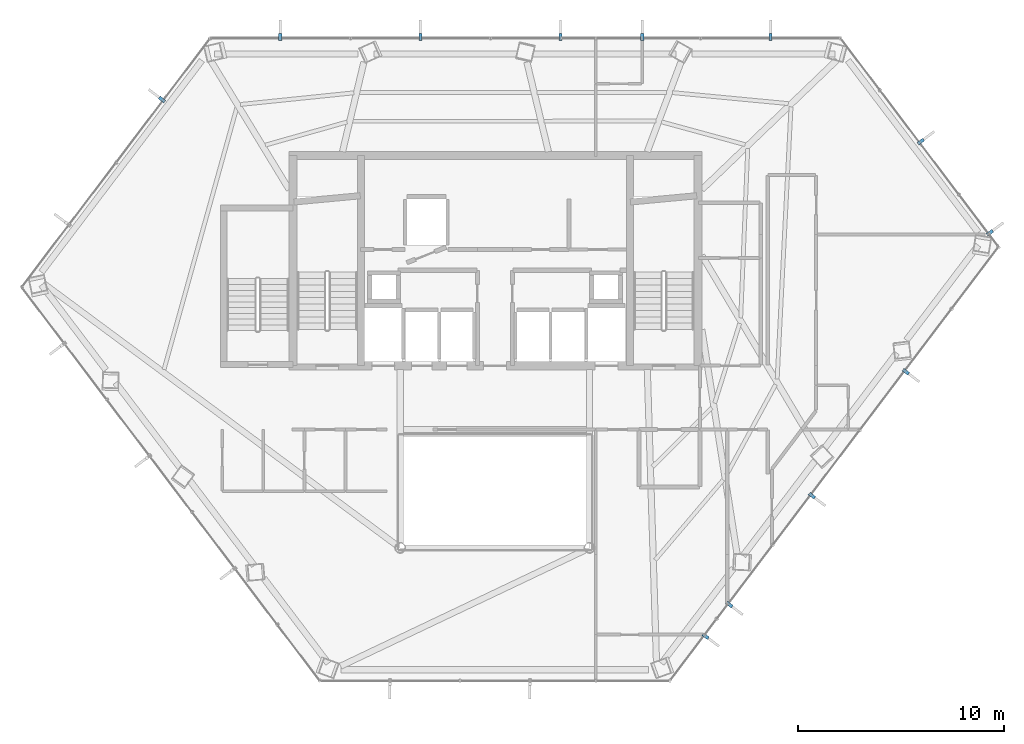
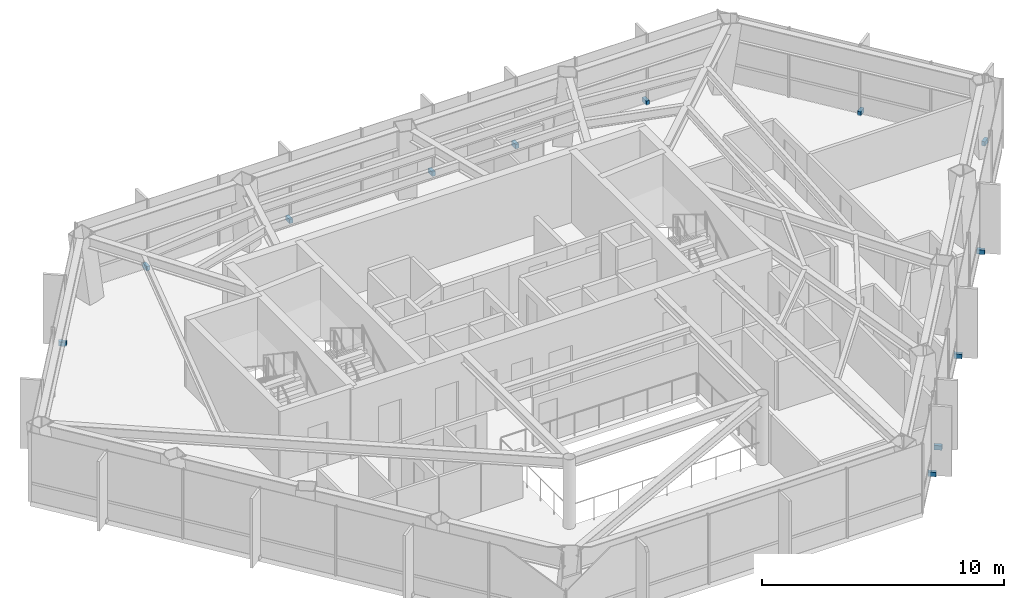
# One storey, part 28 of 29: 12 discrete accessories.
"""IFC4 building model written with IfcOpenShell, lengths in metres."""

from ifc_helpers import new_model, si_unit, direction, frame, origin, origin_2d, place, context, subcontext, project, spatial, rectangle, extrude, material, type_object, element, save


model = new_model("IFC4")

# Units and contexts
model_context = context("Model", 3, precision=1e-05, world=origin(), true_north=direction((0.0, 1.0)))
body_context = subcontext(model_context, "Body", "Model", "MODEL_VIEW")
ifc_project = project(units=[si_unit("LENGTHUNIT", "METRE"), si_unit("AREAUNIT", "SQUARE_METRE"), si_unit("VOLUMEUNIT", "CUBIC_METRE"), si_unit("PLANEANGLEUNIT", "RADIAN"), si_unit("MASSUNIT", "GRAM", prefix="KILO")], contexts=[model_context])

# Site, building, storey
site_placement = place(None, origin())
site = spatial("IfcSite", under=ifc_project, at=site_placement, CompositionType="ELEMENT")
building_placement = place(site_placement, origin())
building = spatial("IfcBuilding", under=site, at=building_placement, Name="Zarrinselat Tower", CompositionType="ELEMENT")
storey_placement = place(building_placement, frame((0.0, 0.0, 142.1201171875)))
storey = spatial("IfcBuildingStorey", under=building, at=storey_placement, Name="L34", CompositionType="ELEMENT", Elevation=142.1201171875)

# Discrete accessories
ifc_material = material(Name="Steel S355J2", Category="steel")
discrete_accessory_type = type_object("IfcDiscreteAccessoryType", Name="ACC-FIN-BRACKET", PredefinedType="BRACKET", material=ifc_material)
for number, where, z_axis, x_axis, name in (
    (1, (51.787353515625, 49.219970703125, -0.05029296875), (0.0, 0.0, 1.0), (0.0, 1.0, 0.0), "L34 Fin Fixing Bracket CW-L34-E01-01"),
    (2, (45.550048828125, 49.219970703125, -0.05029296875), (0.0, 0.0, 1.0), (0.0, 1.0, 0.0), "L34 Fin Fixing Bracket CW-L34-E01-03"),
    (3, (41.585205078125, 49.219970703125, -0.05029296875), (0.0, 0.0, 1.0), (0.0, 1.0, 0.0), "L34 Fin Fixing Bracket CW-L34-E01-05"),
    (4, (34.78369140625, 49.219970703125, -0.05029296875), (0.0, 0.0, 1.0), (0.0, 1.0, 0.0), "L34 Fin Fixing Bracket CW-L34-E01-07"),
    (5, (27.982177734375, 49.219970703125, -0.05029296875), (0.0, 0.0, 1.0), (0.0, 1.0, 0.0), "L34 Fin Fixing Bracket CW-L34-E01-09"),
    (6, (22.23583984375, 46.169921875, -0.05029296875), (0.0, 0.0, 1.0), (-0.797090994162, 0.603859211262, 0.0), "L34 Fin Fixing Bracket CW-L34-E02-01"),
    (7, (48.626708984375, 20.11328125, -0.05029296875), (0.0, 0.0, 1.0), (0.797093582509, -0.603855794642, 0.0), "L34 Fin Fixing Bracket CW-L34-E05-01"),
    (8, (49.787109375, 21.64501953125, -0.05029296875), (0.0, 0.0, 1.0), (0.797093582509, -0.603855794642, 0.0), "L34 Fin Fixing Bracket CW-L34-E05-03"),
    (9, (53.794921875, 26.935302734375, -0.05029296875), (0.0, 0.0, 1.0), (0.797093582509, -0.603855794642, 0.0), "L34 Fin Fixing Bracket CW-L34-E05-05"),
    (10, (58.3564453125, 32.95654296875, -0.05029296875), (0.0, 0.0, 1.0), (0.797093582509, -0.603855794642, 0.0), "L34 Fin Fixing Bracket CW-L34-E05-07"),
    (11, (62.43603515625, 39.698486328125, -0.05029296875), (0.0, 0.0, 1.0), (0.79709088567, 0.60385935447, 0.0), "L34 Fin Fixing Bracket CW-L34-E06-01"),
    (12, (59.080810546875, 44.127197265625, -0.05029296875), (0.0, 0.0, 1.0), (0.79709088567, 0.60385935447, 0.0), "L34 Fin Fixing Bracket CW-L34-E06-03"),
):
    element("IfcDiscreteAccessory", number, at=place(storey_placement, frame(where, z_axis=z_axis, x_axis=x_axis)), inside=storey, type_object=discrete_accessory_type, Name=name, PredefinedType="BRACKET", context=body_context, shape_type="SweptSolid", body=[
        extrude(rectangle(XDim=0.340087890625, YDim=0.159912109375, at=origin_2d()), origin(), (0.0, 0.0, 1.0), 0.219970703125),
    ])

save(model, "model.ifc")
